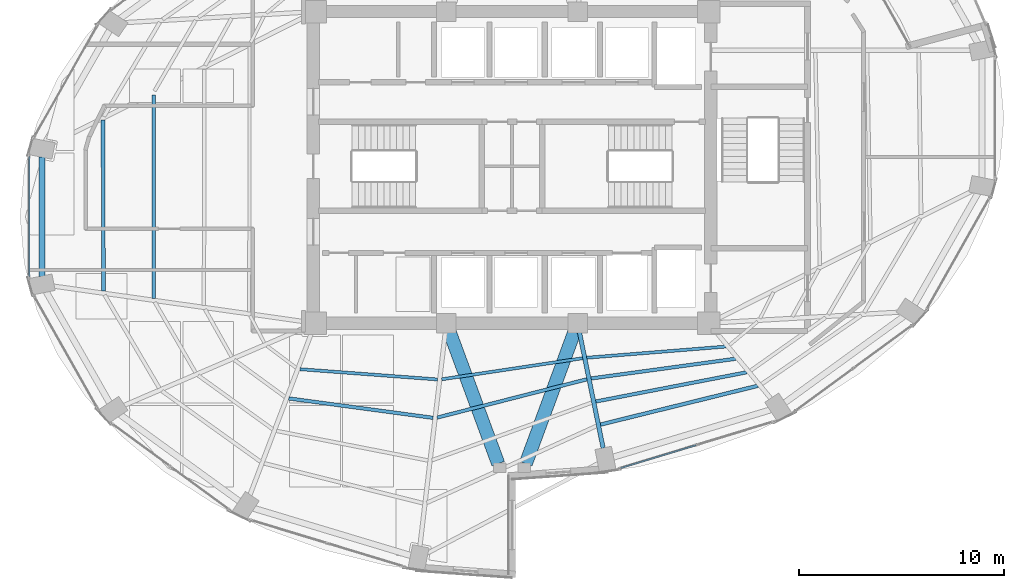
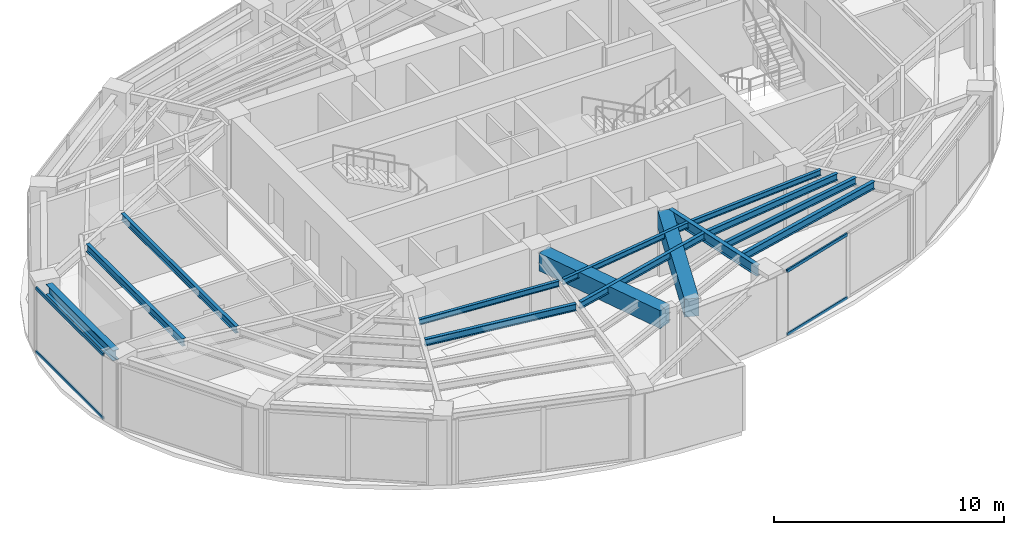
# One storey, part 5 of 19: 14 beams, 4 members, 2 elements without a shape of their own.
"""IFC4 building model written with IfcOpenShell, lengths in metres."""

import ifcopenshell
import ifcopenshell.guid

model = None  # the IFC model being written
_history = None  # IfcOwnerHistory: only IFC2X3 demands one
_inside = {}  # id of a spatial element -> (the spatial element, [elements in it])
_under = {}  # id of a project, library or spatial element -> (it, [spatial elements below it])
_declared = {}  # id of a project -> (the project, [libraries it declares])
_typed = {}  # id of a type object -> (the type object, [elements of that type])
_made_of = {}  # id of a material, layer set ... -> (it, [elements and type objects made of it])


def new_model(schema):
    """Start an empty IFC model of exactly this schema.

    Asked for "IFC4X3", IfcOpenShell would pick the latest addendum, in which some entities
    have other attributes; the version numbers below select the first issue.
    IFC2X3 requires an IfcOwnerHistory on every rooted entity: one is made here for all.
    """
    global model, _history
    if schema == "IFC4X3":
        model = ifcopenshell.file(schema_version=(4, 3, 0, 0))
    else:
        model = ifcopenshell.file(schema=schema)
    _inside.clear()
    _under.clear()
    _declared.clear()
    _typed.clear()
    _made_of.clear()
    _history = None
    if model.schema == "IFC2X3":
        org = make("IfcOrganization", Name="unknown")
        user = make(
            "IfcPersonAndOrganization",
            ThePerson=make("IfcPerson", FamilyName="unknown"),
            TheOrganization=org,
        )
        app = make(
            "IfcApplication",
            ApplicationDeveloper=org,
            Version="unknown",
            ApplicationFullName="unknown",
            ApplicationIdentifier="unknown",
        )
        _history = make(
            "IfcOwnerHistory",
            OwningUser=user,
            OwningApplication=app,
            ChangeAction="ADDED",
            CreationDate=0,
        )
    return model


def make(cls, **values):
    """One entity of the class cls with the attributes given. An attribute that is None is left unset."""
    return model.create_entity(
        cls, **{name: value for name, value in values.items() if value is not None}
    )


def rooted(cls, **values):
    """An entity with a GlobalId (a new one), such as an element, a storey or a relation."""
    return make(cls, GlobalId=ifcopenshell.guid.new(), OwnerHistory=_history, **values)


def si_unit(unit_type, name, prefix=None):
    """IfcSIUnit, for example si_unit("LENGTHUNIT", "METRE", prefix="MILLI")."""
    return make("IfcSIUnit", UnitType=unit_type, Prefix=prefix, Name=name)


def assignment(units):
    """IfcUnitAssignment: the units of a project."""
    return None if units is None else make("IfcUnitAssignment", Units=units)


def point(xyz):
    """IfcCartesianPoint."""
    return None if xyz is None else make("IfcCartesianPoint", Coordinates=xyz)


def direction(xyz):
    """IfcDirection."""
    return None if xyz is None else make("IfcDirection", DirectionRatios=xyz)


def frame(location, z_axis=None, x_axis=None):
    """IfcAxis2Placement3D, a coordinate frame: its origin and axes. An axis left out is left unset."""
    return make(
        "IfcAxis2Placement3D",
        Location=point(location),
        Axis=direction(z_axis),
        RefDirection=direction(x_axis),
    )


def frame_2d(location, x_axis=None):
    """IfcAxis2Placement2D, a coordinate frame in the plane: its origin and x axis."""
    return make(
        "IfcAxis2Placement2D", Location=point(location), RefDirection=direction(x_axis)
    )


def origin():
    """The frame at (0, 0, 0) with its axes left unset."""
    return frame((0.0, 0.0, 0.0))


def origin_2d():
    """The frame at (0, 0) in the plane with its x axis left unset."""
    return frame_2d((0.0, 0.0))


def place(relative_to, where):
    """IfcLocalPlacement: puts the frame where relative to a parent placement (None: the world)."""
    return make(
        "IfcLocalPlacement", PlacementRelTo=relative_to, RelativePlacement=where
    )


def context(
    kind, dimensions, precision=None, world=None, true_north=None, identifier=None
):
    """IfcGeometricRepresentationContext, for example the 3D "Model" context."""
    return make(
        "IfcGeometricRepresentationContext",
        ContextIdentifier=identifier,
        ContextType=kind,
        CoordinateSpaceDimension=dimensions,
        Precision=precision,
        WorldCoordinateSystem=world,
        TrueNorth=true_north,
    )


def subcontext(parent, identifier, kind, view, scale=None):
    """IfcGeometricRepresentationSubContext, for example "Body" below "Model"."""
    return make(
        "IfcGeometricRepresentationSubContext",
        ContextIdentifier=identifier,
        ContextType=kind,
        ParentContext=parent,
        TargetScale=scale,
        TargetView=view,
    )


def project(units=None, contexts=None):
    """IfcProject with its units and contexts."""
    return rooted(
        "IfcProject",
        Name="project",
        RepresentationContexts=contexts,
        UnitsInContext=assignment(units),
    )


def spatial(cls, under=None, at=None, **own):
    """A site, building, storey or space (cls), placed at a placement, below another one or the project."""
    s = rooted(cls, ObjectPlacement=at, **own)
    if under is not None:
        _under.setdefault(under.id(), (under, []))[1].append(s)
    return s


def profile(cls, at=None, kind="AREA", **sizes):
    """A parametric profile (cls). Its sizes go by their IFC names, for example OverallWidth=200.0."""
    return make(cls, ProfileType=kind, Position=at, **sizes)


def rectangle(**sizes):
    """IfcRectangleProfileDef."""
    return profile("IfcRectangleProfileDef", **sizes)


def hollow_rectangle(**sizes):
    """IfcRectangleHollowProfileDef."""
    return profile("IfcRectangleHollowProfileDef", **sizes)


def i_section(**sizes):
    """IfcIShapeProfileDef."""
    return profile("IfcIShapeProfileDef", **sizes)


def extrude(swept, where, along, depth):
    """IfcExtrudedAreaSolid: the profile swept, set in the frame where, extruded along a direction by depth."""
    return make(
        "IfcExtrudedAreaSolid",
        SweptArea=swept,
        Position=where,
        ExtrudedDirection=direction(along),
        Depth=depth,
    )


def shape(context_of_items, identifier, shape_type, items):
    """IfcShapeRepresentation: the items that make up one representation, for example the "Body"."""
    return make(
        "IfcShapeRepresentation",
        ContextOfItems=context_of_items,
        RepresentationIdentifier=identifier,
        RepresentationType=shape_type,
        Items=items,
    )


def material(Name=None, Category=None):
    """IfcMaterial."""
    return make("IfcMaterial", Name=Name, Category=Category)


def layer(
    of_material, thickness, ventilated=None, Name=None, Category=None, Priority=None
):
    """IfcMaterialLayer: one layer of a wall or slab, of a material (None: an air gap)."""
    return make(
        "IfcMaterialLayer",
        Material=of_material,
        LayerThickness=thickness,
        IsVentilated=ventilated,
        Name=Name,
        Category=Category,
        Priority=Priority,
    )


def layer_set(layers, Name=None):
    """IfcMaterialLayerSet."""
    return make("IfcMaterialLayerSet", MaterialLayers=layers, LayerSetName=Name)


def material_profile(
    of_material, cross_section, Name=None, Category=None, Priority=None
):
    """IfcMaterialProfile: a cross section and its material."""
    return make(
        "IfcMaterialProfile",
        Name=Name,
        Material=of_material,
        Profile=cross_section,
        Priority=Priority,
        Category=Category,
    )


def profile_set(profiles, Name=None, composite=None):
    """IfcMaterialProfileSet."""
    return make(
        "IfcMaterialProfileSet",
        Name=Name,
        MaterialProfiles=profiles,
        CompositeProfile=composite,
    )


def made_of(thing, what):
    """Note that an element or type object is made of a material, layer set ...; save() writes the relation."""
    if what is not None:
        _made_of.setdefault(what.id(), (what, []))[1].append(thing)
    return thing


def type_object(cls, material=None, **own):
    """A type object (cls), such as IfcWallType, which elements share."""
    return made_of(rooted(cls, **own), material)


def element(
    cls,
    number,
    at=None,
    inside=None,
    cuts=None,
    type_object=None,
    material=None,
    context=None,
    identifier="Body",
    shape_type=None,
    held_by="IfcProductDefinitionShape",
    body=None,
    shapes=None,
    **own,
):
    """One element of the class cls, such as IfcWall. Its Tag is "e" and its number.

    at: its placement. inside: the storey or other place that contains it. cuts: it is an
    opening in that element (IfcRelVoidsElement). A single representation is given by context,
    identifier, shape_type and body (its items); several are given by shapes. held_by: the class
    of the entity that holds the representations. save() writes the other relations.
    """
    e = rooted(cls, Tag="e%d" % number, ObjectPlacement=at, **own)
    if body is not None:
        shapes = [shape(context, identifier, shape_type, body)]
    if shapes is not None:
        e.Representation = make(held_by, Representations=shapes)
    if inside is not None:
        _inside.setdefault(inside.id(), (inside, []))[1].append(e)
    if cuts is not None:
        rooted(
            "IfcRelVoidsElement", RelatingBuildingElement=cuts, RelatedOpeningElement=e
        )
    if type_object is not None:
        _typed.setdefault(type_object.id(), (type_object, []))[1].append(e)
    return made_of(e, material)


def aggregate(whole, parts):
    """IfcRelAggregates: a whole, such as a stair, and the parts it consists of."""
    return rooted("IfcRelAggregates", RelatingObject=whole, RelatedObjects=parts)


def save(model, path):
    """Write the relations noted so far, then the file.

    IfcRelAggregates (storeys below a building ...), IfcRelContainedInSpatialStructure (elements
    in a storey), IfcRelDefinesByType, IfcRelAssociatesMaterial and IfcRelDeclares: one each for
    every whole, place, type object, material and project.
    """
    for whole, parts in _under.values():
        aggregate(whole, parts)
    for where, things in _inside.values():
        rooted(
            "IfcRelContainedInSpatialStructure",
            RelatedElements=things,
            RelatingStructure=where,
        )
    for kind, things in _typed.values():
        rooted("IfcRelDefinesByType", RelatedObjects=things, RelatingType=kind)
    for what, things in _made_of.values():
        rooted("IfcRelAssociatesMaterial", RelatedObjects=things, RelatingMaterial=what)
    for by, libraries in _declared.values():
        rooted("IfcRelDeclares", RelatingContext=by, RelatedDefinitions=libraries)
    model.write(path)


model = new_model("IFC4")

# Units and contexts
model_context = context("Model", 3, precision=1e-05, world=origin(), true_north=direction((0.0, 1.0)))
body_context = subcontext(model_context, "Body", "Model", "MODEL_VIEW")
ifc_project = project(units=[si_unit("LENGTHUNIT", "METRE"), si_unit("AREAUNIT", "SQUARE_METRE"), si_unit("VOLUMEUNIT", "CUBIC_METRE"), si_unit("PLANEANGLEUNIT", "RADIAN"), si_unit("MASSUNIT", "GRAM", prefix="KILO")], contexts=[model_context])

# Site, building, storey
site_placement = place(None, origin())
site = spatial("IfcSite", under=ifc_project, at=site_placement, CompositionType="ELEMENT")
building_placement = place(site_placement, origin())
building = spatial("IfcBuilding", under=site, at=building_placement, Name="Lazwardi Medical Tower", CompositionType="ELEMENT")
storey_placement = place(building_placement, frame((0.0, 0.0, 163.823974609375)))
storey = spatial("IfcBuildingStorey", under=building, at=storey_placement, Name="L42", CompositionType="ELEMENT", Elevation=163.823974609375)

# Beams
ifc_material_1 = material(Name="Concrete C60/75", Category="concrete")
ifc_material_profile_1 = material_profile(ifc_material_1, rectangle(XDim=0.64990234375, YDim=0.949951171875, at=origin_2d()), Name="RC 650x950")
ifc_profile_set_1 = profile_set([ifc_material_profile_1], Name="Concrete C60/75")
beam_type_1 = type_object("IfcBeamType", Name="BM-CB-RC2", PredefinedType="LINTEL", material=ifc_profile_set_1)
for number, where, z_axis, x_axis, name in (
    (1, (32.959228515625, 19.968505859375, 2.953125), (0.34601281054, -0.938229787921, 0.0), (0.938229787921, 0.34601281054, 0.0), "Core coupling lintel CB-02 PL3 L42"),
    (2, (39.040771484375, 19.968505859375, 2.953125), (-0.34601281054, -0.938229787921, 0.0), (0.938229787921, -0.34601281054, 0.0), "Core coupling lintel CB-02 PL4 L42"),
):
    element("IfcBeam", number, at=place(storey_placement, frame(where, z_axis=z_axis, x_axis=x_axis)), inside=storey, type_object=beam_type_1, Name=name, PredefinedType="LINTEL", context=body_context, shape_type="SweptSolid", body=[
        extrude(rectangle(XDim=0.64990234375, YDim=0.949951171875, at=origin_2d()), origin(), (0.0, 0.0, 1.0), 6.84423828125),
    ])
ifc_material_2 = material(Name="Steel S355", Category="steel")
ifc_material_profile_2 = material_profile(ifc_material_2, i_section(OverallWidth=0.300048828125, OverallDepth=0.550048828125, WebThickness=0.014892578125, FlangeThickness=0.029052734375, at=origin_2d()), Name="HEB 550")
ifc_profile_set_2 = profile_set([ifc_material_profile_2], Name="Steel S355")
beam_type_2 = type_object("IfcBeamType", Name="BM-RB-Z3", PredefinedType="BEAM", material=ifc_profile_set_2)
beam_1_placement = place(storey_placement, frame((13.07421875, 28.51171875, 3.153076171875), z_axis=(0.0, -1.0, 0.0), x_axis=(1.0, 0.0, 0.0)))
element("IfcBeam", 3, at=beam_1_placement, inside=storey, type_object=beam_type_2, Name="Ring beam RB-04 B12 L42", PredefinedType="BEAM", context=body_context, shape_type="SweptSolid", body=[
    extrude(i_section(OverallWidth=0.300048828125, OverallDepth=0.550048828125, WebThickness=0.014892578125, FlangeThickness=0.029052734375, at=origin_2d()), origin(), (0.0, 0.0, 1.0), 5.823486328125),
])
ifc_material_profile_3 = material_profile(ifc_material_2, i_section(OverallWidth=0.2099609375, OverallDepth=0.550048828125, WebThickness=0.010986328125, FlangeThickness=0.01708984375, at=origin_2d()), Name="IPE 550")
ifc_profile_set_3 = profile_set([ifc_material_profile_3], Name="Steel S355")
beam_type_3 = type_object("IfcBeamType", Name="BM-RG-W2", PredefinedType="BEAM", material=ifc_profile_set_3)
beam_2_placement = place(storey_placement, frame((40.447998046875, 14.2998046875, 3.153076171875), z_axis=(-0.200429485343, 0.979708130723, 0.0), x_axis=(-0.979708130723, -0.200429485343, 0.0)))
element("IfcBeam", 4, at=beam_2_placement, inside=storey, type_object=beam_type_3, Name="Radial girder RG-03 R01 L42", PredefinedType="BEAM", context=body_context, shape_type="SweptSolid", body=[
    extrude(i_section(OverallWidth=0.2099609375, OverallDepth=0.550048828125, WebThickness=0.010986328125, FlangeThickness=0.01708984375, at=origin_2d()), origin(), (0.0, 0.0, 1.0), 5.766357421875),
])
ifc_material_profile_4 = material_profile(ifc_material_2, i_section(OverallWidth=0.179931640625, OverallDepth=0.39990234375, WebThickness=0.008544921875, FlangeThickness=0.013427734375, at=origin_2d()), Name="IPE 400")
ifc_profile_set_4 = profile_set([ifc_material_profile_4], Name="Steel S355")
beam_type_4 = type_object("IfcBeamType", Name="BM-SJ-01", PredefinedType="JOIST", material=ifc_profile_set_4)
beam_3_placement = place(storey_placement, frame((40.31396484375, 15.45361328125, 3.22802734375), z_axis=(0.970912648168, 0.239433977597, 0.0), x_axis=(-0.239433977597, 0.970912648168, 0.0)))
element("IfcBeam", 5, at=beam_3_placement, inside=storey, type_object=beam_type_4, Name="Secondary joist SJ-01 R1 B01 L42", PredefinedType="JOIST", context=body_context, shape_type="SweptSolid", body=[
    extrude(i_section(OverallWidth=0.179931640625, OverallDepth=0.39990234375, WebThickness=0.008544921875, FlangeThickness=0.013427734375, at=origin_2d()), origin(), (0.0, 0.0, 1.0), 7.91162109375),
])
beam_4_placement = place(storey_placement, frame((16.04443359375, 30.30224609375, 3.22802734375), z_axis=(0.003864366017, -0.99999253331, 0.0), x_axis=(0.99999253331, 0.003864366017, 0.0)))
element("IfcBeam", 6, at=beam_4_placement, inside=storey, type_object=beam_type_4, Name="Secondary joist SJ-01 R1 B12 L42", PredefinedType="JOIST", context=body_context, shape_type="SweptSolid", body=[
    extrude(i_section(OverallWidth=0.179931640625, OverallDepth=0.39990234375, WebThickness=0.008544921875, FlangeThickness=0.013427734375, at=origin_2d()), origin(), (0.0, 0.0, 1.0), 8.33935546875),
])
ifc_material_profile_5 = material_profile(ifc_material_2, i_section(OverallWidth=0.169921875, OverallDepth=0.360107421875, WebThickness=0.008056640625, FlangeThickness=0.0126953125, at=origin_2d()), Name="IPE 360")
ifc_profile_set_5 = profile_set([ifc_material_profile_5], Name="Steel S355")
beam_type_5 = type_object("IfcBeamType", Name="BM-SJ-02", PredefinedType="JOIST", material=ifc_profile_set_5)
beam_5_placement = place(storey_placement, frame((40.083984375, 16.57861328125, 3.248046875), z_axis=(0.981753035865, 0.190160396953, 0.0), x_axis=(-0.190160396953, 0.981753035865, 0.0)))
element("IfcBeam", 7, at=beam_5_placement, inside=storey, type_object=beam_type_5, Name="Secondary joist SJ-02 R2 B01 L42", PredefinedType="JOIST", context=body_context, shape_type="SweptSolid", body=[
    extrude(i_section(OverallWidth=0.169921875, OverallDepth=0.360107421875, WebThickness=0.008056640625, FlangeThickness=0.0126953125, at=origin_2d()), origin(), (0.0, 0.0, 1.0), 7.50927734375),
])
beam_6_placement = place(storey_placement, frame((18.513671875, 31.541748046875, 3.248046875), z_axis=(0.001156040156, -0.999999331785, 0.0), x_axis=(0.999999331785, 0.001156040156, 0.0)))
element("IfcBeam", 8, at=beam_6_placement, inside=storey, type_object=beam_type_5, Name="Secondary joist SJ-02 R2 B12 L42", PredefinedType="JOIST", context=body_context, shape_type="SweptSolid", body=[
    extrude(i_section(OverallWidth=0.169921875, OverallDepth=0.360107421875, WebThickness=0.008056640625, FlangeThickness=0.0126953125, at=origin_2d()), origin(), (0.0, 0.0, 1.0), 9.92578125),
])
beam_7_placement = place(storey_placement, frame((39.853515625, 17.702880859375, 3.248046875), z_axis=(0.990832043476, 0.135099450852, 0.0), x_axis=(-0.135099450852, 0.990832043476, 0.0)))
element("IfcBeam", 9, at=beam_7_placement, inside=storey, type_object=beam_type_5, Name="Secondary joist SJ-02 R3 B01 L42", PredefinedType="JOIST", context=body_context, shape_type="SweptSolid", body=[
    extrude(i_section(OverallWidth=0.169921875, OverallDepth=0.360107421875, WebThickness=0.008056640625, FlangeThickness=0.0126953125, at=origin_2d()), origin(), (0.0, 0.0, 1.0), 7.129150390625),
])
beam_8_placement = place(storey_placement, frame((25.110107421875, 16.730224609375, 3.248046875), z_axis=(0.991056291961, -0.133444468468, 0.0), x_axis=(0.133444468468, 0.991056291961, 0.0)))
element("IfcBeam", 10, at=beam_8_placement, inside=storey, type_object=beam_type_5, Name="Secondary joist SJ-02 R3 B15 L42", PredefinedType="JOIST", context=body_context, shape_type="SweptSolid", body=[
    extrude(i_section(OverallWidth=0.169921875, OverallDepth=0.360107421875, WebThickness=0.008056640625, FlangeThickness=0.0126953125, at=origin_2d()), origin(), (0.0, 0.0, 1.0), 7.10400390625),
])
beam_9_placement = place(storey_placement, frame((32.3466796875, 15.793701171875, 3.248046875), z_axis=(0.96877632572, 0.247936344097, 0.0), x_axis=(-0.247936344097, 0.96877632572, 0.0)))
element("IfcBeam", 11, at=beam_9_placement, inside=storey, type_object=beam_type_5, Name="Secondary joist SJ-02 R3 B16 L42", PredefinedType="JOIST", context=body_context, shape_type="SweptSolid", body=[
    extrude(i_section(OverallWidth=0.169921875, OverallDepth=0.360107421875, WebThickness=0.008056640625, FlangeThickness=0.0126953125, at=origin_2d()), origin(), (0.0, 0.0, 1.0), 7.546630859375),
])
ifc_material_profile_6 = material_profile(ifc_material_2, i_section(OverallWidth=0.14990234375, OverallDepth=0.300048828125, WebThickness=0.007080078125, FlangeThickness=0.0107421875, at=origin_2d()), Name="IPE 300")
ifc_profile_set_6 = profile_set([ifc_material_profile_6], Name="Steel S355")
beam_type_6 = type_object("IfcBeamType", Name="BM-SJ-03", PredefinedType="JOIST", material=ifc_profile_set_6)
beam_10_placement = place(storey_placement, frame((39.646240234375, 18.71435546875, 3.278076171875), z_axis=(0.996785792338, 0.08011294647, 0.0), x_axis=(-0.08011294647, 0.996785792338, 0.0)))
element("IfcBeam", 12, at=beam_10_placement, inside=storey, type_object=beam_type_6, Name="Secondary joist SJ-03 R4 B01 L42", PredefinedType="JOIST", context=body_context, shape_type="SweptSolid", body=[
    extrude(i_section(OverallWidth=0.14990234375, OverallDepth=0.300048828125, WebThickness=0.007080078125, FlangeThickness=0.0107421875, at=origin_2d()), origin(), (0.0, 0.0, 1.0), 6.80810546875),
])
beam_11_placement = place(storey_placement, frame((25.650390625, 18.156494140625, 3.278076171875), z_axis=(0.99722699261, -0.074419924822, 0.0), x_axis=(0.074419924822, 0.99722699261, 0.0)))
element("IfcBeam", 13, at=beam_11_placement, inside=storey, type_object=beam_type_6, Name="Secondary joist SJ-03 R4 B15 L42", PredefinedType="JOIST", context=body_context, shape_type="SweptSolid", body=[
    extrude(i_section(OverallWidth=0.14990234375, OverallDepth=0.300048828125, WebThickness=0.007080078125, FlangeThickness=0.0107421875, at=origin_2d()), origin(), (0.0, 0.0, 1.0), 6.74169921875),
])
beam_12_placement = place(storey_placement, frame((32.57177734375, 17.662109375, 3.278076171875), z_axis=(0.98897469849, 0.148084589835, 0.0), x_axis=(-0.148084589835, 0.98897469849, 0.0)))
element("IfcBeam", 14, at=beam_12_placement, inside=storey, type_object=beam_type_6, Name="Secondary joist SJ-03 R4 B16 L42", PredefinedType="JOIST", context=body_context, shape_type="SweptSolid", body=[
    extrude(i_section(OverallWidth=0.14990234375, OverallDepth=0.300048828125, WebThickness=0.007080078125, FlangeThickness=0.0107421875, at=origin_2d()), origin(), (0.0, 0.0, 1.0), 6.952392578125),
])

# Curtain wall, members
ifc_material_3 = material(Name="Anodised bronze aluminium and solar control glazing", Category="aluminium")
ifc_layer = layer(ifc_material_3, 0.195068359375)
ifc_layer_set = layer_set([ifc_layer], Name="Anodised bronze aluminium and solar control glazing")
curtain_wall_type = type_object("IfcCurtainWallType", Name="CW-SYS-03", PredefinedType="NOTDEFINED", material=ifc_layer_set)
curtain_wall_1_placement = place(storey_placement, origin())
curtain_wall_1 = element("IfcCurtainWall", 15, at=curtain_wall_1_placement, inside=storey, type_object=curtain_wall_type, Name="L42 Unitised bronze curtain wall CW-03", PredefinedType="NOTDEFINED")
ifc_material_4 = material(Name="Anodised bronze aluminium", Category="aluminium")
ifc_material_profile_7 = material_profile(ifc_material_4, hollow_rectangle(XDim=0.074951171875, YDim=0.159912109375, WallThickness=0.00390625, at=origin_2d()), Name="ALU-TRANSOM 160x75x4")
ifc_profile_set_7 = profile_set([ifc_material_profile_7], Name="Anodised bronze aluminium")
member_type = type_object("IfcMemberType", Name="CW-TRN-01", PredefinedType="USERDEFINED", material=ifc_profile_set_7)
member_1_placement = place(storey_placement, frame((41.307861328125, 13.336669921875, 0.03759765625), z_axis=(0.956935517424, 0.290300560612, 0.0), x_axis=(-0.290300560612, 0.956935517424, 0.0)))
member_1 = element("IfcMember", 16, at=member_1_placement, type_object=member_type, Name="CW-03 transom 1.1", ObjectType="TRANSOM", PredefinedType="USERDEFINED", context=body_context, shape_type="SweptSolid", body=[
    extrude(hollow_rectangle(XDim=0.074951171875, YDim=0.159912109375, WallThickness=0.00390625, at=origin_2d()), origin(), (0.0, 0.0, 1.0), 3.836669921875),
])
member_2_placement = place(storey_placement, frame((41.307861328125, 13.336669921875, 3.390625), z_axis=(0.956935517424, 0.290300560612, 0.0), x_axis=(-0.290300560612, 0.956935517424, 0.0)))
member_2 = element("IfcMember", 17, at=member_2_placement, type_object=member_type, Name="CW-03 transom 1.2", ObjectType="TRANSOM", PredefinedType="USERDEFINED", context=body_context, shape_type="SweptSolid", body=[
    extrude(hollow_rectangle(XDim=0.074951171875, YDim=0.159912109375, WallThickness=0.00390625, at=origin_2d()), origin(), (0.0, 0.0, 1.0), 3.836669921875),
])
aggregate(curtain_wall_1, [member_1, member_2])

curtain_wall_2_placement = place(storey_placement, origin())
curtain_wall_2 = element("IfcCurtainWall", 18, at=curtain_wall_2_placement, inside=storey, type_object=curtain_wall_type, Name="L42 Unitised bronze curtain wall CW-03", PredefinedType="NOTDEFINED")
member_3_placement = place(storey_placement, frame((12.4423828125, 28.5205078125, 0.03759765625), z_axis=(0.0, -1.0, 0.0), x_axis=(1.0, 0.0, 0.0)))
member_3 = element("IfcMember", 19, at=member_3_placement, type_object=member_type, Name="CW-03 transom 1.1", ObjectType="TRANSOM", PredefinedType="USERDEFINED", context=body_context, shape_type="SweptSolid", body=[
    extrude(hollow_rectangle(XDim=0.074951171875, YDim=0.159912109375, WallThickness=0.00390625, at=origin_2d()), origin(), (0.0, 0.0, 1.0), 5.8408203125),
])
member_4_placement = place(storey_placement, frame((12.4423828125, 28.5205078125, 3.390625), z_axis=(0.0, -1.0, 0.0), x_axis=(1.0, 0.0, 0.0)))
member_4 = element("IfcMember", 20, at=member_4_placement, type_object=member_type, Name="CW-03 transom 1.2", ObjectType="TRANSOM", PredefinedType="USERDEFINED", context=body_context, shape_type="SweptSolid", body=[
    extrude(hollow_rectangle(XDim=0.074951171875, YDim=0.159912109375, WallThickness=0.00390625, at=origin_2d()), origin(), (0.0, 0.0, 1.0), 5.8408203125),
])
aggregate(curtain_wall_2, [member_3, member_4])

save(model, "model.ifc")
